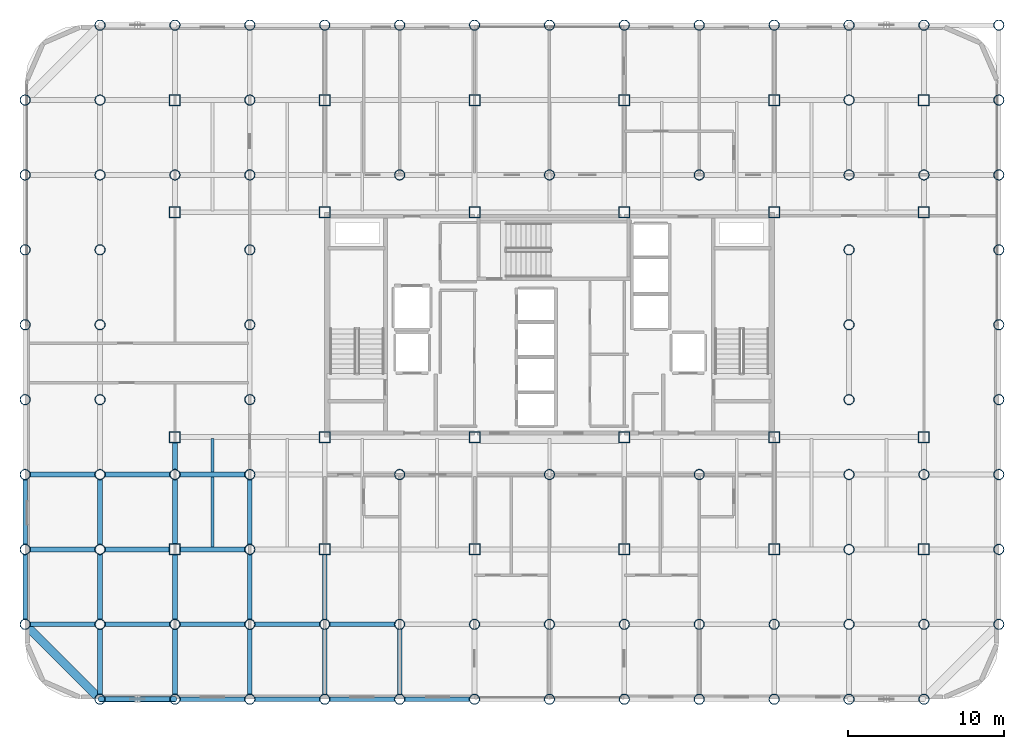
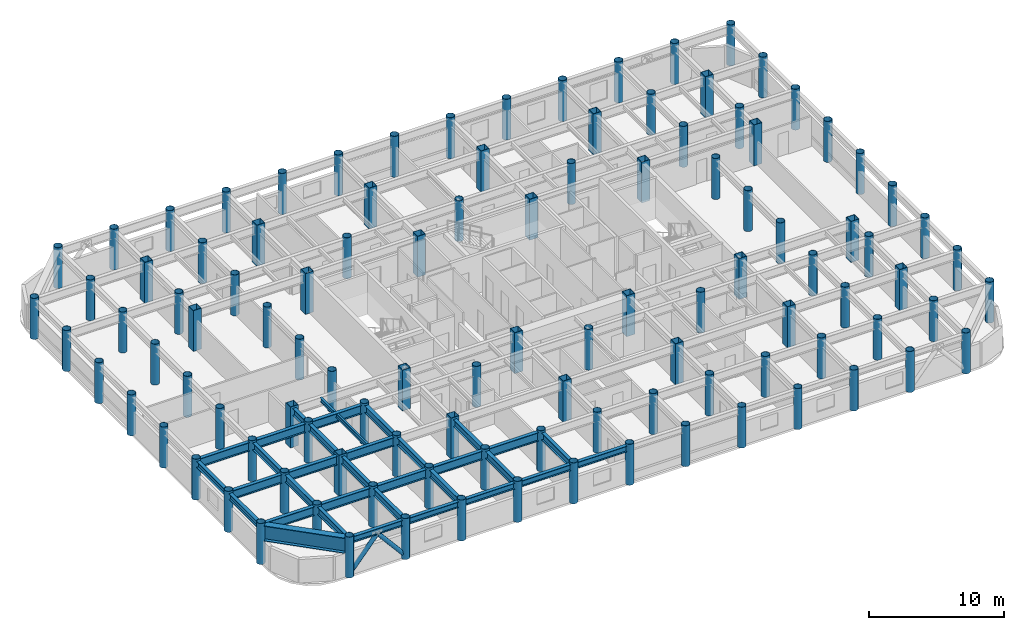
# One storey, part 1 of 20: 108 columns, 33 beams, 2 members.
"""IFC4 building model written with IfcOpenShell, lengths in metres."""

import ifcopenshell
import ifcopenshell.guid

model = None  # the IFC model being written
_history = None  # IfcOwnerHistory: only IFC2X3 demands one
_inside = {}  # id of a spatial element -> (the spatial element, [elements in it])
_under = {}  # id of a project, library or spatial element -> (it, [spatial elements below it])
_declared = {}  # id of a project -> (the project, [libraries it declares])
_typed = {}  # id of a type object -> (the type object, [elements of that type])
_made_of = {}  # id of a material, layer set ... -> (it, [elements and type objects made of it])


def new_model(schema):
    """Start an empty IFC model of exactly this schema.

    Asked for "IFC4X3", IfcOpenShell would pick the latest addendum, in which some entities
    have other attributes; the version numbers below select the first issue.
    IFC2X3 requires an IfcOwnerHistory on every rooted entity: one is made here for all.
    """
    global model, _history
    if schema == "IFC4X3":
        model = ifcopenshell.file(schema_version=(4, 3, 0, 0))
    else:
        model = ifcopenshell.file(schema=schema)
    _inside.clear()
    _under.clear()
    _declared.clear()
    _typed.clear()
    _made_of.clear()
    _history = None
    if model.schema == "IFC2X3":
        org = make("IfcOrganization", Name="unknown")
        user = make(
            "IfcPersonAndOrganization",
            ThePerson=make("IfcPerson", FamilyName="unknown"),
            TheOrganization=org,
        )
        app = make(
            "IfcApplication",
            ApplicationDeveloper=org,
            Version="unknown",
            ApplicationFullName="unknown",
            ApplicationIdentifier="unknown",
        )
        _history = make(
            "IfcOwnerHistory",
            OwningUser=user,
            OwningApplication=app,
            ChangeAction="ADDED",
            CreationDate=0,
        )
    return model


def make(cls, **values):
    """One entity of the class cls with the attributes given. An attribute that is None is left unset."""
    return model.create_entity(
        cls, **{name: value for name, value in values.items() if value is not None}
    )


def rooted(cls, **values):
    """An entity with a GlobalId (a new one), such as an element, a storey or a relation."""
    return make(cls, GlobalId=ifcopenshell.guid.new(), OwnerHistory=_history, **values)


def si_unit(unit_type, name, prefix=None):
    """IfcSIUnit, for example si_unit("LENGTHUNIT", "METRE", prefix="MILLI")."""
    return make("IfcSIUnit", UnitType=unit_type, Prefix=prefix, Name=name)


def assignment(units):
    """IfcUnitAssignment: the units of a project."""
    return None if units is None else make("IfcUnitAssignment", Units=units)


def point(xyz):
    """IfcCartesianPoint."""
    return None if xyz is None else make("IfcCartesianPoint", Coordinates=xyz)


def direction(xyz):
    """IfcDirection."""
    return None if xyz is None else make("IfcDirection", DirectionRatios=xyz)


def frame(location, z_axis=None, x_axis=None):
    """IfcAxis2Placement3D, a coordinate frame: its origin and axes. An axis left out is left unset."""
    return make(
        "IfcAxis2Placement3D",
        Location=point(location),
        Axis=direction(z_axis),
        RefDirection=direction(x_axis),
    )


def frame_2d(location, x_axis=None):
    """IfcAxis2Placement2D, a coordinate frame in the plane: its origin and x axis."""
    return make(
        "IfcAxis2Placement2D", Location=point(location), RefDirection=direction(x_axis)
    )


def origin():
    """The frame at (0, 0, 0) with its axes left unset."""
    return frame((0.0, 0.0, 0.0))


def origin_2d():
    """The frame at (0, 0) in the plane with its x axis left unset."""
    return frame_2d((0.0, 0.0))


def place(relative_to, where):
    """IfcLocalPlacement: puts the frame where relative to a parent placement (None: the world)."""
    return make(
        "IfcLocalPlacement", PlacementRelTo=relative_to, RelativePlacement=where
    )


def context(
    kind, dimensions, precision=None, world=None, true_north=None, identifier=None
):
    """IfcGeometricRepresentationContext, for example the 3D "Model" context."""
    return make(
        "IfcGeometricRepresentationContext",
        ContextIdentifier=identifier,
        ContextType=kind,
        CoordinateSpaceDimension=dimensions,
        Precision=precision,
        WorldCoordinateSystem=world,
        TrueNorth=true_north,
    )


def subcontext(parent, identifier, kind, view, scale=None):
    """IfcGeometricRepresentationSubContext, for example "Body" below "Model"."""
    return make(
        "IfcGeometricRepresentationSubContext",
        ContextIdentifier=identifier,
        ContextType=kind,
        ParentContext=parent,
        TargetScale=scale,
        TargetView=view,
    )


def project(units=None, contexts=None):
    """IfcProject with its units and contexts."""
    return rooted(
        "IfcProject",
        Name="project",
        RepresentationContexts=contexts,
        UnitsInContext=assignment(units),
    )


def spatial(cls, under=None, at=None, **own):
    """A site, building, storey or space (cls), placed at a placement, below another one or the project."""
    s = rooted(cls, ObjectPlacement=at, **own)
    if under is not None:
        _under.setdefault(under.id(), (under, []))[1].append(s)
    return s


def profile(cls, at=None, kind="AREA", **sizes):
    """A parametric profile (cls). Its sizes go by their IFC names, for example OverallWidth=200.0."""
    return make(cls, ProfileType=kind, Position=at, **sizes)


def hollow_rectangle(**sizes):
    """IfcRectangleHollowProfileDef."""
    return profile("IfcRectangleHollowProfileDef", **sizes)


def hollow_circle(**sizes):
    """IfcCircleHollowProfileDef."""
    return profile("IfcCircleHollowProfileDef", **sizes)


def i_section(**sizes):
    """IfcIShapeProfileDef."""
    return profile("IfcIShapeProfileDef", **sizes)


def extrude(swept, where, along, depth):
    """IfcExtrudedAreaSolid: the profile swept, set in the frame where, extruded along a direction by depth."""
    return make(
        "IfcExtrudedAreaSolid",
        SweptArea=swept,
        Position=where,
        ExtrudedDirection=direction(along),
        Depth=depth,
    )


def shape(context_of_items, identifier, shape_type, items):
    """IfcShapeRepresentation: the items that make up one representation, for example the "Body"."""
    return make(
        "IfcShapeRepresentation",
        ContextOfItems=context_of_items,
        RepresentationIdentifier=identifier,
        RepresentationType=shape_type,
        Items=items,
    )


def material(Name=None, Category=None):
    """IfcMaterial."""
    return make("IfcMaterial", Name=Name, Category=Category)


def material_profile(
    of_material, cross_section, Name=None, Category=None, Priority=None
):
    """IfcMaterialProfile: a cross section and its material."""
    return make(
        "IfcMaterialProfile",
        Name=Name,
        Material=of_material,
        Profile=cross_section,
        Priority=Priority,
        Category=Category,
    )


def profile_set(profiles, Name=None, composite=None):
    """IfcMaterialProfileSet."""
    return make(
        "IfcMaterialProfileSet",
        Name=Name,
        MaterialProfiles=profiles,
        CompositeProfile=composite,
    )


def made_of(thing, what):
    """Note that an element or type object is made of a material, layer set ...; save() writes the relation."""
    if what is not None:
        _made_of.setdefault(what.id(), (what, []))[1].append(thing)
    return thing


def type_object(cls, material=None, **own):
    """A type object (cls), such as IfcWallType, which elements share."""
    return made_of(rooted(cls, **own), material)


def element(
    cls,
    number,
    at=None,
    inside=None,
    cuts=None,
    type_object=None,
    material=None,
    context=None,
    identifier="Body",
    shape_type=None,
    held_by="IfcProductDefinitionShape",
    body=None,
    shapes=None,
    **own,
):
    """One element of the class cls, such as IfcWall. Its Tag is "e" and its number.

    at: its placement. inside: the storey or other place that contains it. cuts: it is an
    opening in that element (IfcRelVoidsElement). A single representation is given by context,
    identifier, shape_type and body (its items); several are given by shapes. held_by: the class
    of the entity that holds the representations. save() writes the other relations.
    """
    e = rooted(cls, Tag="e%d" % number, ObjectPlacement=at, **own)
    if body is not None:
        shapes = [shape(context, identifier, shape_type, body)]
    if shapes is not None:
        e.Representation = make(held_by, Representations=shapes)
    if inside is not None:
        _inside.setdefault(inside.id(), (inside, []))[1].append(e)
    if cuts is not None:
        rooted(
            "IfcRelVoidsElement", RelatingBuildingElement=cuts, RelatedOpeningElement=e
        )
    if type_object is not None:
        _typed.setdefault(type_object.id(), (type_object, []))[1].append(e)
    return made_of(e, material)


def aggregate(whole, parts):
    """IfcRelAggregates: a whole, such as a stair, and the parts it consists of."""
    return rooted("IfcRelAggregates", RelatingObject=whole, RelatedObjects=parts)


def save(model, path):
    """Write the relations noted so far, then the file.

    IfcRelAggregates (storeys below a building ...), IfcRelContainedInSpatialStructure (elements
    in a storey), IfcRelDefinesByType, IfcRelAssociatesMaterial and IfcRelDeclares: one each for
    every whole, place, type object, material and project.
    """
    for whole, parts in _under.values():
        aggregate(whole, parts)
    for where, things in _inside.values():
        rooted(
            "IfcRelContainedInSpatialStructure",
            RelatedElements=things,
            RelatingStructure=where,
        )
    for kind, things in _typed.values():
        rooted("IfcRelDefinesByType", RelatedObjects=things, RelatingType=kind)
    for what, things in _made_of.values():
        rooted("IfcRelAssociatesMaterial", RelatedObjects=things, RelatingMaterial=what)
    for by, libraries in _declared.values():
        rooted("IfcRelDeclares", RelatingContext=by, RelatedDefinitions=libraries)
    model.write(path)


model = new_model("IFC4")

# Units and contexts
model_context = context("Model", 3, precision=1e-05, world=origin(), true_north=direction((0.0, 1.0)))
body_context = subcontext(model_context, "Body", "Model", "MODEL_VIEW")
ifc_project = project(units=[si_unit("LENGTHUNIT", "METRE"), si_unit("AREAUNIT", "SQUARE_METRE"), si_unit("VOLUMEUNIT", "CUBIC_METRE"), si_unit("PLANEANGLEUNIT", "RADIAN"), si_unit("MASSUNIT", "GRAM", prefix="KILO")], contexts=[model_context])

# Site, building, storey
site_placement = place(None, origin())
site = spatial("IfcSite", under=ifc_project, at=site_placement, CompositionType="ELEMENT")
building_placement = place(site_placement, origin())
building = spatial("IfcBuilding", under=site, at=building_placement, Name="Kallvorn Hotel Tower", CompositionType="ELEMENT")
storey_placement = place(building_placement, frame((0.0, 0.0, 158.10009765625)))
storey = spatial("IfcBuildingStorey", under=building, at=storey_placement, Name="L39", CompositionType="ELEMENT", Elevation=158.10009765625)

# Columns
ifc_material_1 = material(Name="Structural steel S355J2H", Category="steel")
ifc_material_profile_1 = material_profile(ifc_material_1, hollow_circle(Radius=0.330078125, WallThickness=0.028076171875, at=origin_2d()), Name="CHS 660x28")
ifc_profile_set_1 = profile_set([ifc_material_profile_1], Name="Structural steel S355J2H")
column_type_1 = type_object("IfcColumnType", Name="COL_CHS_660", PredefinedType="COLUMN", material=ifc_profile_set_1)
for number, where, z_axis, x_axis, name in (
    (1, (-33.60009765625, -19.199951171875, 0.0), (0.0, 0.0, 1.0), (1.0, 0.0, 0.0), "L39 Exoskeleton Column EC01"),
    (2, (-33.60009765625, -14.39990234375, 0.0), (0.0, 0.0, 1.0), (1.0, 0.0, 0.0), "L39 Exoskeleton Column EC02"),
    (3, (-33.60009765625, -9.60009765625, 0.0), (0.0, 0.0, 1.0), (1.0, 0.0, 0.0), "L39 Exoskeleton Column EC03"),
    (4, (-33.60009765625, -4.800048828125, 0.0), (0.0, 0.0, 1.0), (1.0, 0.0, 0.0), "L39 Exoskeleton Column EC04"),
    (5, (-33.60009765625, 0.0, 0.0), (0.0, 0.0, 1.0), (1.0, 0.0, 0.0), "L39 Exoskeleton Column EC05"),
    (6, (-33.60009765625, 4.800048828125, 0.0), (0.0, 0.0, 1.0), (1.0, 0.0, 0.0), "L39 Exoskeleton Column EC06"),
    (7, (-33.60009765625, 9.60009765625, 0.0), (0.0, 0.0, 1.0), (1.0, 0.0, 0.0), "L39 Exoskeleton Column EC07"),
    (8, (-33.60009765625, 14.39990234375, 0.0), (0.0, 0.0, 1.0), (1.0, 0.0, 0.0), "L39 Exoskeleton Column EC08"),
    (9, (-28.800048828125, -24.0, 0.0), (0.0, 0.0, 1.0), (1.0, 0.0, 0.0), "L39 Exoskeleton Column EC09"),
    (10, (-28.800048828125, -19.199951171875, 0.0), (0.0, 0.0, 1.0), (1.0, 0.0, 0.0), "L39 Exoskeleton Column EC10"),
    (11, (-28.800048828125, -14.39990234375, 0.0), (0.0, 0.0, 1.0), (1.0, 0.0, 0.0), "L39 Exoskeleton Column EC11"),
    (12, (-28.800048828125, -9.60009765625, 0.0), (0.0, 0.0, 1.0), (1.0, 0.0, 0.0), "L39 Exoskeleton Column EC12"),
    (13, (-28.800048828125, -4.800048828125, 0.0), (0.0, 0.0, 1.0), (1.0, 0.0, 0.0), "L39 Exoskeleton Column EC13"),
    (14, (-28.800048828125, 0.0, 0.0), (0.0, 0.0, 1.0), (1.0, 0.0, 0.0), "L39 Exoskeleton Column EC14"),
    (15, (-28.800048828125, 4.800048828125, 0.0), (0.0, 0.0, 1.0), (1.0, 0.0, 0.0), "L39 Exoskeleton Column EC15"),
    (16, (-28.800048828125, 9.60009765625, 0.0), (0.0, 0.0, 1.0), (1.0, 0.0, 0.0), "L39 Exoskeleton Column EC16"),
    (17, (-28.800048828125, 14.39990234375, 0.0), (0.0, 0.0, 1.0), (1.0, 0.0, 0.0), "L39 Exoskeleton Column EC17"),
    (18, (-28.800048828125, 19.199951171875, 0.0), (0.0, 0.0, 1.0), (1.0, 0.0, 0.0), "L39 Exoskeleton Column EC18"),
    (19, (-24.0, -24.0, 0.0), (0.0, 0.0, 1.0), (1.0, 0.0, 0.0), "L39 Exoskeleton Column EC19"),
    (20, (-24.0, -19.199951171875, 0.0), (0.0, 0.0, 1.0), (1.0, 0.0, 0.0), "L39 Exoskeleton Column EC20"),
    (21, (-24.0, -9.60009765625, 0.0), (0.0, 0.0, 1.0), (1.0, 0.0, 0.0), "L39 Exoskeleton Column EC21"),
    (22, (-24.0, 9.60009765625, 0.0), (0.0, 0.0, 1.0), (1.0, 0.0, 0.0), "L39 Exoskeleton Column EC22"),
    (23, (-24.0, 19.199951171875, 0.0), (0.0, 0.0, 1.0), (1.0, 0.0, 0.0), "L39 Exoskeleton Column EC23"),
    (24, (-19.199951171875, -24.0, 0.0), (0.0, 0.0, 1.0), (1.0, 0.0, 0.0), "L39 Exoskeleton Column EC24"),
    (25, (-19.199951171875, -19.199951171875, 0.0), (0.0, 0.0, 1.0), (1.0, 0.0, 0.0), "L39 Exoskeleton Column EC25"),
    (26, (-19.199951171875, -14.39990234375, 0.0), (0.0, 0.0, 1.0), (1.0, 0.0, 0.0), "L39 Exoskeleton Column EC26"),
    (27, (-19.199951171875, -9.60009765625, 0.0), (0.0, 0.0, 1.0), (1.0, 0.0, 0.0), "L39 Exoskeleton Column EC27"),
    (28, (-19.199951171875, -4.800048828125, 0.0), (0.0, 0.0, 1.0), (1.0, 0.0, 0.0), "L39 Exoskeleton Column EC28"),
    (29, (-19.199951171875, 0.0, 0.0), (0.0, 0.0, 1.0), (1.0, 0.0, 0.0), "L39 Exoskeleton Column EC29"),
    (30, (-19.199951171875, 4.800048828125, 0.0), (0.0, 0.0, 1.0), (1.0, 0.0, 0.0), "L39 Exoskeleton Column EC30"),
    (31, (-19.199951171875, 9.60009765625, 0.0), (0.0, 0.0, 1.0), (1.0, 0.0, 0.0), "L39 Exoskeleton Column EC31"),
    (32, (-19.199951171875, 14.39990234375, 0.0), (0.0, 0.0, 1.0), (1.0, 0.0, 0.0), "L39 Exoskeleton Column EC32"),
    (33, (-19.199951171875, 19.199951171875, 0.0), (0.0, 0.0, 1.0), (1.0, 0.0, 0.0), "L39 Exoskeleton Column EC33"),
    (34, (-14.39990234375, -24.0, 0.0), (0.0, 0.0, 1.0), (1.0, 0.0, 0.0), "L39 Exoskeleton Column EC34"),
    (35, (-14.39990234375, -19.199951171875, 0.0), (0.0, 0.0, 1.0), (1.0, 0.0, 0.0), "L39 Exoskeleton Column EC35"),
    (36, (-14.39990234375, 19.199951171875, 0.0), (0.0, 0.0, 1.0), (1.0, 0.0, 0.0), "L39 Exoskeleton Column EC36"),
    (37, (-9.60009765625, -24.0, 0.0), (0.0, 0.0, 1.0), (1.0, 0.0, 0.0), "L39 Exoskeleton Column EC37"),
    (38, (-9.60009765625, -19.199951171875, 0.0), (0.0, 0.0, 1.0), (1.0, 0.0, 0.0), "L39 Exoskeleton Column EC38"),
    (39, (-9.60009765625, -9.60009765625, 0.0), (0.0, 0.0, 1.0), (1.0, 0.0, 0.0), "L39 Exoskeleton Column EC39"),
    (40, (-9.60009765625, 9.60009765625, 0.0), (0.0, 0.0, 1.0), (1.0, 0.0, 0.0), "L39 Exoskeleton Column EC40"),
    (41, (-9.60009765625, 19.199951171875, 0.0), (0.0, 0.0, 1.0), (1.0, 0.0, 0.0), "L39 Exoskeleton Column EC41"),
    (42, (-4.800048828125, -24.0, 0.0), (0.0, 0.0, 1.0), (1.0, 0.0, 0.0), "L39 Exoskeleton Column EC42"),
    (43, (-4.800048828125, -19.199951171875, 0.0), (0.0, 0.0, 1.0), (1.0, 0.0, 0.0), "L39 Exoskeleton Column EC43"),
    (44, (-4.800048828125, 19.199951171875, 0.0), (0.0, 0.0, 1.0), (1.0, 0.0, 0.0), "L39 Exoskeleton Column EC44"),
    (45, (0.0, -24.0, 0.0), (0.0, 0.0, 1.0), (1.0, 0.0, 0.0), "L39 Exoskeleton Column EC45"),
    (46, (0.0, -19.199951171875, 0.0), (0.0, 0.0, 1.0), (1.0, 0.0, 0.0), "L39 Exoskeleton Column EC46"),
    (47, (0.0, -9.60009765625, 0.0), (0.0, 0.0, 1.0), (1.0, 0.0, 0.0), "L39 Exoskeleton Column EC47"),
    (48, (0.0, 9.60009765625, 0.0), (0.0, 0.0, 1.0), (1.0, 0.0, 0.0), "L39 Exoskeleton Column EC48"),
    (49, (0.0, 19.199951171875, 0.0), (0.0, 0.0, 1.0), (1.0, 0.0, 0.0), "L39 Exoskeleton Column EC49"),
    (50, (4.800048828125, -24.0, 0.0), (0.0, 0.0, 1.0), (1.0, 0.0, 0.0), "L39 Exoskeleton Column EC50"),
    (51, (4.800048828125, -19.199951171875, 0.0), (0.0, 0.0, 1.0), (1.0, 0.0, 0.0), "L39 Exoskeleton Column EC51"),
    (52, (4.800048828125, 19.199951171875, 0.0), (0.0, 0.0, 1.0), (1.0, 0.0, 0.0), "L39 Exoskeleton Column EC52"),
    (53, (9.60009765625, -24.0, 0.0), (0.0, 0.0, 1.0), (1.0, 0.0, 0.0), "L39 Exoskeleton Column EC53"),
    (54, (9.60009765625, -19.199951171875, 0.0), (0.0, 0.0, 1.0), (1.0, 0.0, 0.0), "L39 Exoskeleton Column EC54"),
    (55, (9.60009765625, -9.60009765625, 0.0), (0.0, 0.0, 1.0), (1.0, 0.0, 0.0), "L39 Exoskeleton Column EC55"),
    (56, (9.60009765625, 9.60009765625, 0.0), (0.0, 0.0, 1.0), (1.0, 0.0, 0.0), "L39 Exoskeleton Column EC56"),
    (57, (9.60009765625, 19.199951171875, 0.0), (0.0, 0.0, 1.0), (1.0, 0.0, 0.0), "L39 Exoskeleton Column EC57"),
    (58, (14.39990234375, -24.0, 0.0), (0.0, 0.0, 1.0), (1.0, 0.0, 0.0), "L39 Exoskeleton Column EC58"),
    (59, (14.39990234375, -19.199951171875, 0.0), (0.0, 0.0, 1.0), (1.0, 0.0, 0.0), "L39 Exoskeleton Column EC59"),
    (60, (14.39990234375, 19.199951171875, 0.0), (0.0, 0.0, 1.0), (1.0, 0.0, 0.0), "L39 Exoskeleton Column EC60"),
    (61, (19.199951171875, -24.0, 0.0), (0.0, 0.0, 1.0), (1.0, 0.0, 0.0), "L39 Exoskeleton Column EC61"),
    (62, (19.199951171875, -19.199951171875, 0.0), (0.0, 0.0, 1.0), (1.0, 0.0, 0.0), "L39 Exoskeleton Column EC62"),
    (63, (19.199951171875, -14.39990234375, 0.0), (0.0, 0.0, 1.0), (1.0, 0.0, 0.0), "L39 Exoskeleton Column EC63"),
    (64, (19.199951171875, -9.60009765625, 0.0), (0.0, 0.0, 1.0), (1.0, 0.0, 0.0), "L39 Exoskeleton Column EC64"),
    (65, (19.199951171875, -4.800048828125, 0.0), (0.0, 0.0, 1.0), (1.0, 0.0, 0.0), "L39 Exoskeleton Column EC65"),
    (66, (19.199951171875, 0.0, 0.0), (0.0, 0.0, 1.0), (1.0, 0.0, 0.0), "L39 Exoskeleton Column EC66"),
    (67, (19.199951171875, 4.800048828125, 0.0), (0.0, 0.0, 1.0), (1.0, 0.0, 0.0), "L39 Exoskeleton Column EC67"),
    (68, (19.199951171875, 9.60009765625, 0.0), (0.0, 0.0, 1.0), (1.0, 0.0, 0.0), "L39 Exoskeleton Column EC68"),
    (69, (19.199951171875, 14.39990234375, 0.0), (0.0, 0.0, 1.0), (1.0, 0.0, 0.0), "L39 Exoskeleton Column EC69"),
    (70, (19.199951171875, 19.199951171875, 0.0), (0.0, 0.0, 1.0), (1.0, 0.0, 0.0), "L39 Exoskeleton Column EC70"),
    (71, (24.0, -24.0, 0.0), (0.0, 0.0, 1.0), (1.0, 0.0, 0.0), "L39 Exoskeleton Column EC71"),
    (72, (24.0, -19.199951171875, 0.0), (0.0, 0.0, 1.0), (1.0, 0.0, 0.0), "L39 Exoskeleton Column EC72"),
    (73, (24.0, -9.60009765625, 0.0), (0.0, 0.0, 1.0), (1.0, 0.0, 0.0), "L39 Exoskeleton Column EC73"),
    (74, (24.0, 9.60009765625, 0.0), (0.0, 0.0, 1.0), (1.0, 0.0, 0.0), "L39 Exoskeleton Column EC74"),
    (75, (24.0, 19.199951171875, 0.0), (0.0, 0.0, 1.0), (1.0, 0.0, 0.0), "L39 Exoskeleton Column EC75"),
    (76, (28.800048828125, -19.199951171875, 0.0), (0.0, 0.0, 1.0), (1.0, 0.0, 0.0), "L39 Exoskeleton Column EC76"),
    (77, (28.800048828125, -14.39990234375, 0.0), (0.0, 0.0, 1.0), (1.0, 0.0, 0.0), "L39 Exoskeleton Column EC77"),
    (78, (28.800048828125, -9.60009765625, 0.0), (0.0, 0.0, 1.0), (1.0, 0.0, 0.0), "L39 Exoskeleton Column EC78"),
    (79, (28.800048828125, -4.800048828125, 0.0), (0.0, 0.0, 1.0), (1.0, 0.0, 0.0), "L39 Exoskeleton Column EC79"),
    (80, (28.800048828125, 0.0, 0.0), (0.0, 0.0, 1.0), (1.0, 0.0, 0.0), "L39 Exoskeleton Column EC80"),
    (81, (28.800048828125, 4.800048828125, 0.0), (0.0, 0.0, 1.0), (1.0, 0.0, 0.0), "L39 Exoskeleton Column EC81"),
    (82, (28.800048828125, 9.60009765625, 0.0), (0.0, 0.0, 1.0), (1.0, 0.0, 0.0), "L39 Exoskeleton Column EC82"),
    (83, (28.800048828125, 14.39990234375, 0.0), (0.0, 0.0, 1.0), (1.0, 0.0, 0.0), "L39 Exoskeleton Column EC83"),
    (84, (28.800048828125, 19.199951171875, 0.0), (0.0, 0.0, 1.0), (1.0, 0.0, 0.0), "L39 Exoskeleton Column EC84"),
):
    element("IfcColumn", number, at=place(storey_placement, frame(where, z_axis=z_axis, x_axis=x_axis)), inside=storey, type_object=column_type_1, Name=name, PredefinedType="COLUMN", context=body_context, shape_type="SweptSolid", body=[
        extrude(hollow_circle(Radius=0.330078125, WallThickness=0.028076171875, at=origin_2d()), origin(), (0.0, 0.0, 1.0), 3.699951171875),
    ])
ifc_material_2 = material(Name="Structural steel S355J2H", Category="steel")
ifc_material_profile_2 = material_profile(ifc_material_2, hollow_rectangle(XDim=0.699951171875, YDim=0.699951171875, WallThickness=0.031982421875, at=origin_2d()), Name="RHS 700x700x32")
ifc_profile_set_2 = profile_set([ifc_material_profile_2], Name="Structural steel S355J2H")
column_type_2 = type_object("IfcColumnType", Name="COL_RHS_700", PredefinedType="COLUMN", material=ifc_profile_set_2)
for number, where, z_axis, x_axis, name in (
    (85, (-24.0, -14.39990234375, 0.0), (0.0, 0.0, 1.0), (1.0, 0.0, 0.0), "L39 Inner Column IC01"),
    (86, (-24.0, -7.199951171875, 0.0), (0.0, 0.0, 1.0), (1.0, 0.0, 0.0), "L39 Inner Column IC02"),
    (87, (-24.0, 7.199951171875, 0.0), (0.0, 0.0, 1.0), (1.0, 0.0, 0.0), "L39 Inner Column IC03"),
    (88, (-24.0, 14.39990234375, 0.0), (0.0, 0.0, 1.0), (1.0, 0.0, 0.0), "L39 Inner Column IC04"),
    (89, (-14.39990234375, -14.39990234375, 0.0), (0.0, 0.0, 1.0), (1.0, 0.0, 0.0), "L39 Inner Column IC05"),
    (90, (-14.39990234375, -7.199951171875, 0.0), (0.0, 0.0, 1.0), (1.0, 0.0, 0.0), "L39 Inner Column IC06"),
    (91, (-14.39990234375, 7.199951171875, 0.0), (0.0, 0.0, 1.0), (1.0, 0.0, 0.0), "L39 Inner Column IC07"),
    (92, (-14.39990234375, 14.39990234375, 0.0), (0.0, 0.0, 1.0), (1.0, 0.0, 0.0), "L39 Inner Column IC08"),
    (93, (-4.800048828125, -14.39990234375, 0.0), (0.0, 0.0, 1.0), (1.0, 0.0, 0.0), "L39 Inner Column IC09"),
    (94, (-4.800048828125, -7.199951171875, 0.0), (0.0, 0.0, 1.0), (1.0, 0.0, 0.0), "L39 Inner Column IC10"),
    (95, (-4.800048828125, 7.199951171875, 0.0), (0.0, 0.0, 1.0), (1.0, 0.0, 0.0), "L39 Inner Column IC11"),
    (96, (-4.800048828125, 14.39990234375, 0.0), (0.0, 0.0, 1.0), (1.0, 0.0, 0.0), "L39 Inner Column IC12"),
    (97, (4.800048828125, -14.39990234375, 0.0), (0.0, 0.0, 1.0), (1.0, 0.0, 0.0), "L39 Inner Column IC13"),
    (98, (4.800048828125, -7.199951171875, 0.0), (0.0, 0.0, 1.0), (1.0, 0.0, 0.0), "L39 Inner Column IC14"),
    (99, (4.800048828125, 7.199951171875, 0.0), (0.0, 0.0, 1.0), (1.0, 0.0, 0.0), "L39 Inner Column IC15"),
    (100, (4.800048828125, 14.39990234375, 0.0), (0.0, 0.0, 1.0), (1.0, 0.0, 0.0), "L39 Inner Column IC16"),
    (101, (14.39990234375, -14.39990234375, 0.0), (0.0, 0.0, 1.0), (1.0, 0.0, 0.0), "L39 Inner Column IC17"),
    (102, (14.39990234375, -7.199951171875, 0.0), (0.0, 0.0, 1.0), (1.0, 0.0, 0.0), "L39 Inner Column IC18"),
    (103, (14.39990234375, 7.199951171875, 0.0), (0.0, 0.0, 1.0), (1.0, 0.0, 0.0), "L39 Inner Column IC19"),
    (104, (14.39990234375, 14.39990234375, 0.0), (0.0, 0.0, 1.0), (1.0, 0.0, 0.0), "L39 Inner Column IC20"),
    (105, (24.0, -14.39990234375, 0.0), (0.0, 0.0, 1.0), (1.0, 0.0, 0.0), "L39 Inner Column IC21"),
    (106, (24.0, -7.199951171875, 0.0), (0.0, 0.0, 1.0), (1.0, 0.0, 0.0), "L39 Inner Column IC22"),
    (107, (24.0, 7.199951171875, 0.0), (0.0, 0.0, 1.0), (1.0, 0.0, 0.0), "L39 Inner Column IC23"),
    (108, (24.0, 14.39990234375, 0.0), (0.0, 0.0, 1.0), (1.0, 0.0, 0.0), "L39 Inner Column IC24"),
):
    element("IfcColumn", number, at=place(storey_placement, frame(where, z_axis=z_axis, x_axis=x_axis)), inside=storey, type_object=column_type_2, Name=name, PredefinedType="COLUMN", context=body_context, shape_type="SweptSolid", body=[
        extrude(hollow_rectangle(XDim=0.699951171875, YDim=0.699951171875, WallThickness=0.031982421875, at=origin_2d()), origin(), (0.0, 0.0, 1.0), 3.699951171875),
    ])

# Beams
ifc_material_3 = material(Name="Structural steel S355JR", Category="steel")
ifc_material_profile_3 = material_profile(ifc_material_3, i_section(OverallWidth=0.300048828125, OverallDepth=0.550048828125, WebThickness=0.014892578125, FlangeThickness=0.029052734375, at=origin_2d()), Name="HE 550 B")
ifc_profile_set_3 = profile_set([ifc_material_profile_3], Name="Structural steel S355JR")
beam_type_1 = type_object("IfcBeamType", Name="BM_HE550B", PredefinedType="SPANDREL", material=ifc_profile_set_3)
for number, where, z_axis, x_axis, name in (
    (109, (-28.47998046875, -24.0, 3.244873046875), (1.0, 0.0, 0.0), (0.0, 1.0, 0.0), "L40 Perimeter Spandrel 151"),
    (110, (-23.679931640625, -24.0, 3.244873046875), (1.0, 0.0, 0.0), (0.0, 1.0, 0.0), "L40 Perimeter Spandrel 152"),
    (111, (-18.8798828125, -24.0, 3.244873046875), (1.0, 0.0, 0.0), (0.0, 1.0, 0.0), "L40 Perimeter Spandrel 153"),
):
    element("IfcBeam", number, at=place(storey_placement, frame(where, z_axis=z_axis, x_axis=x_axis)), inside=storey, type_object=beam_type_1, Name=name, PredefinedType="SPANDREL", context=body_context, shape_type="SweptSolid", body=[
        extrude(i_section(OverallWidth=0.300048828125, OverallDepth=0.550048828125, WebThickness=0.014892578125, FlangeThickness=0.029052734375, at=origin_2d()), origin(), (0.0, 0.0, 1.0), 4.159912109375),
    ])
beam_1_placement = place(storey_placement, frame((-14.080078125, -24.0, 3.244873046875), z_axis=(1.0, 0.0, 0.0), x_axis=(0.0, 1.0, 0.0)))
element("IfcBeam", 112, at=beam_1_placement, inside=storey, type_object=beam_type_1, Name="L40 Perimeter Spandrel 154", PredefinedType="SPANDREL", context=body_context, shape_type="SweptSolid", body=[
    extrude(i_section(OverallWidth=0.300048828125, OverallDepth=0.550048828125, WebThickness=0.014892578125, FlangeThickness=0.029052734375, at=origin_2d()), origin(), (0.0, 0.0, 1.0), 4.16015625),
])
for number, where, z_axis, x_axis, name in (
    (113, (-9.280029296875, -24.0, 3.244873046875), (1.0, 0.0, 0.0), (0.0, 1.0, 0.0), "L40 Perimeter Spandrel 155"),
    (114, (-33.60009765625, -18.8798828125, 3.244873046875), (0.0, 1.0, 0.0), (-1.0, 0.0, 0.0), "L40 Perimeter Spandrel 174"),
):
    element("IfcBeam", number, at=place(storey_placement, frame(where, z_axis=z_axis, x_axis=x_axis)), inside=storey, type_object=beam_type_1, Name=name, PredefinedType="SPANDREL", context=body_context, shape_type="SweptSolid", body=[
        extrude(i_section(OverallWidth=0.300048828125, OverallDepth=0.550048828125, WebThickness=0.014892578125, FlangeThickness=0.029052734375, at=origin_2d()), origin(), (0.0, 0.0, 1.0), 4.159912109375),
    ])
beam_2_placement = place(storey_placement, frame((-33.60009765625, -14.080078125, 3.244873046875), z_axis=(0.0, 1.0, 0.0), x_axis=(-1.0, 0.0, 0.0)))
element("IfcBeam", 115, at=beam_2_placement, inside=storey, type_object=beam_type_1, Name="L40 Perimeter Spandrel 175", PredefinedType="SPANDREL", context=body_context, shape_type="SweptSolid", body=[
    extrude(i_section(OverallWidth=0.300048828125, OverallDepth=0.550048828125, WebThickness=0.014892578125, FlangeThickness=0.029052734375, at=origin_2d()), origin(), (0.0, 0.0, 1.0), 4.16015625),
])
ifc_material_4 = material(Name="Structural steel S355JR", Category="steel")
ifc_material_profile_4 = material_profile(ifc_material_4, i_section(OverallWidth=0.300048828125, OverallDepth=0.64990234375, WebThickness=0.01611328125, FlangeThickness=0.031005859375, at=origin_2d()), Name="HE 650 B")
ifc_profile_set_4 = profile_set([ifc_material_profile_4], Name="Structural steel S355JR")
beam_type_2 = type_object("IfcBeamType", Name="BM_HE650B", PredefinedType="BEAM", material=ifc_profile_set_4)
beam_3_placement = place(storey_placement, frame((-28.800048828125, -23.695068359375, 3.19482421875), z_axis=(0.0, 1.0, 0.0), x_axis=(-1.0, 0.0, 0.0)))
element("IfcBeam", 116, at=beam_3_placement, inside=storey, type_object=beam_type_2, Name="L40 Primary Y-Girder 73", PredefinedType="BEAM", context=body_context, shape_type="SweptSolid", body=[
    extrude(i_section(OverallWidth=0.300048828125, OverallDepth=0.64990234375, WebThickness=0.01611328125, FlangeThickness=0.031005859375, at=origin_2d()), origin(), (0.0, 0.0, 1.0), 4.190185546875),
])
for number, where, z_axis, x_axis, name in (
    (117, (-28.800048828125, -18.89501953125, 3.19482421875), (0.0, 1.0, 0.0), (-1.0, 0.0, 0.0), "L40 Primary Y-Girder 74"),
    (118, (-28.800048828125, -14.094970703125, 3.19482421875), (0.0, 1.0, 0.0), (-1.0, 0.0, 0.0), "L40 Primary Y-Girder 75"),
):
    element("IfcBeam", number, at=place(storey_placement, frame(where, z_axis=z_axis, x_axis=x_axis)), inside=storey, type_object=beam_type_2, Name=name, PredefinedType="BEAM", context=body_context, shape_type="SweptSolid", body=[
        extrude(i_section(OverallWidth=0.300048828125, OverallDepth=0.64990234375, WebThickness=0.01611328125, FlangeThickness=0.031005859375, at=origin_2d()), origin(), (0.0, 0.0, 1.0), 4.18994140625),
    ])
beam_4_placement = place(storey_placement, frame((-24.0, -23.695068359375, 3.19482421875), z_axis=(0.0, 1.0, 0.0), x_axis=(-1.0, 0.0, 0.0)))
element("IfcBeam", 119, at=beam_4_placement, inside=storey, type_object=beam_type_2, Name="L40 Primary Y-Girder 82", PredefinedType="BEAM", context=body_context, shape_type="SweptSolid", body=[
    extrude(i_section(OverallWidth=0.300048828125, OverallDepth=0.64990234375, WebThickness=0.01611328125, FlangeThickness=0.031005859375, at=origin_2d()), origin(), (0.0, 0.0, 1.0), 4.190185546875),
])
for number, where, z_axis, x_axis, name in (
    (120, (-24.0, -18.89501953125, 3.19482421875), (0.0, 1.0, 0.0), (-1.0, 0.0, 0.0), "L40 Primary Y-Girder 83"),
    (121, (-24.0, -14.074951171875, 3.19482421875), (0.0, 1.0, 0.0), (-1.0, 0.0, 0.0), "L40 Primary Y-Girder 84"),
):
    element("IfcBeam", number, at=place(storey_placement, frame(where, z_axis=z_axis, x_axis=x_axis)), inside=storey, type_object=beam_type_2, Name=name, PredefinedType="BEAM", context=body_context, shape_type="SweptSolid", body=[
        extrude(i_section(OverallWidth=0.300048828125, OverallDepth=0.64990234375, WebThickness=0.01611328125, FlangeThickness=0.031005859375, at=origin_2d()), origin(), (0.0, 0.0, 1.0), 4.169921875),
    ])
beam_5_placement = place(storey_placement, frame((-24.0, -9.294921875, 3.19482421875), z_axis=(0.0, 1.0, 0.0), x_axis=(-1.0, 0.0, 0.0)))
element("IfcBeam", 122, at=beam_5_placement, inside=storey, type_object=beam_type_2, Name="L40 Primary Y-Girder 85", PredefinedType="BEAM", context=body_context, shape_type="SweptSolid", body=[
    extrude(i_section(OverallWidth=0.300048828125, OverallDepth=0.64990234375, WebThickness=0.01611328125, FlangeThickness=0.031005859375, at=origin_2d()), origin(), (0.0, 0.0, 1.0), 1.77001953125),
])
beam_6_placement = place(storey_placement, frame((-19.199951171875, -23.695068359375, 3.19482421875), z_axis=(0.0, 1.0, 0.0), x_axis=(-1.0, 0.0, 0.0)))
element("IfcBeam", 123, at=beam_6_placement, inside=storey, type_object=beam_type_2, Name="L40 Primary Y-Girder 89", PredefinedType="BEAM", context=body_context, shape_type="SweptSolid", body=[
    extrude(i_section(OverallWidth=0.300048828125, OverallDepth=0.64990234375, WebThickness=0.01611328125, FlangeThickness=0.031005859375, at=origin_2d()), origin(), (0.0, 0.0, 1.0), 4.190185546875),
])
for number, where, z_axis, x_axis, name in (
    (124, (-19.199951171875, -18.89501953125, 3.19482421875), (0.0, 1.0, 0.0), (-1.0, 0.0, 0.0), "L40 Primary Y-Girder 90"),
    (125, (-19.199951171875, -14.094970703125, 3.19482421875), (0.0, 1.0, 0.0), (-1.0, 0.0, 0.0), "L40 Primary Y-Girder 91"),
):
    element("IfcBeam", number, at=place(storey_placement, frame(where, z_axis=z_axis, x_axis=x_axis)), inside=storey, type_object=beam_type_2, Name=name, PredefinedType="BEAM", context=body_context, shape_type="SweptSolid", body=[
        extrude(i_section(OverallWidth=0.300048828125, OverallDepth=0.64990234375, WebThickness=0.01611328125, FlangeThickness=0.031005859375, at=origin_2d()), origin(), (0.0, 0.0, 1.0), 4.18994140625),
    ])
beam_7_placement = place(storey_placement, frame((-14.39990234375, -23.695068359375, 3.19482421875), z_axis=(0.0, 1.0, 0.0), x_axis=(-1.0, 0.0, 0.0)))
element("IfcBeam", 126, at=beam_7_placement, inside=storey, type_object=beam_type_2, Name="L40 Primary Y-Girder 98", PredefinedType="BEAM", context=body_context, shape_type="SweptSolid", body=[
    extrude(i_section(OverallWidth=0.300048828125, OverallDepth=0.64990234375, WebThickness=0.01611328125, FlangeThickness=0.031005859375, at=origin_2d()), origin(), (0.0, 0.0, 1.0), 4.190185546875),
])
beam_8_placement = place(storey_placement, frame((-14.39990234375, -18.89501953125, 3.19482421875), z_axis=(0.0, 1.0, 0.0), x_axis=(-1.0, 0.0, 0.0)))
element("IfcBeam", 127, at=beam_8_placement, inside=storey, type_object=beam_type_2, Name="L40 Primary Y-Girder 99", PredefinedType="BEAM", context=body_context, shape_type="SweptSolid", body=[
    extrude(i_section(OverallWidth=0.300048828125, OverallDepth=0.64990234375, WebThickness=0.01611328125, FlangeThickness=0.031005859375, at=origin_2d()), origin(), (0.0, 0.0, 1.0), 4.169921875),
])
beam_9_placement = place(storey_placement, frame((-9.60009765625, -23.695068359375, 3.19482421875), z_axis=(0.0, 1.0, 0.0), x_axis=(-1.0, 0.0, 0.0)))
element("IfcBeam", 128, at=beam_9_placement, inside=storey, type_object=beam_type_2, Name="L40 Primary Y-Girder 103", PredefinedType="BEAM", context=body_context, shape_type="SweptSolid", body=[
    extrude(i_section(OverallWidth=0.300048828125, OverallDepth=0.64990234375, WebThickness=0.01611328125, FlangeThickness=0.031005859375, at=origin_2d()), origin(), (0.0, 0.0, 1.0), 4.190185546875),
])
ifc_material_5 = material(Name="Structural steel S355JR", Category="steel")
ifc_material_profile_5 = material_profile(ifc_material_5, i_section(OverallWidth=0.300048828125, OverallDepth=0.800048828125, WebThickness=0.017578125, FlangeThickness=0.032958984375, at=origin_2d()), Name="HE 800 B")
ifc_profile_set_5 = profile_set([ifc_material_profile_5], Name="Structural steel S355JR")
beam_type_3 = type_object("IfcBeamType", Name="BM_HE800B", PredefinedType="BEAM", material=ifc_profile_set_5)
beam_10_placement = place(storey_placement, frame((-33.294921875, -19.199951171875, 3.119873046875), z_axis=(1.0, 0.0, 0.0), x_axis=(0.0, 1.0, 0.0)))
element("IfcBeam", 129, at=beam_10_placement, inside=storey, type_object=beam_type_3, Name="L40 Primary X-Girder 01", PredefinedType="BEAM", context=body_context, shape_type="SweptSolid", body=[
    extrude(i_section(OverallWidth=0.300048828125, OverallDepth=0.800048828125, WebThickness=0.017578125, FlangeThickness=0.032958984375, at=origin_2d()), origin(), (0.0, 0.0, 1.0), 4.18994140625),
])
for number, where, z_axis, x_axis, name in (
    (130, (-28.4951171875, -19.199951171875, 3.119873046875), (1.0, 0.0, 0.0), (0.0, 1.0, 0.0), "L40 Primary X-Girder 02"),
    (131, (-23.695068359375, -19.199951171875, 3.119873046875), (1.0, 0.0, 0.0), (0.0, 1.0, 0.0), "L40 Primary X-Girder 03"),
):
    element("IfcBeam", number, at=place(storey_placement, frame(where, z_axis=z_axis, x_axis=x_axis)), inside=storey, type_object=beam_type_3, Name=name, PredefinedType="BEAM", context=body_context, shape_type="SweptSolid", body=[
        extrude(i_section(OverallWidth=0.300048828125, OverallDepth=0.800048828125, WebThickness=0.017578125, FlangeThickness=0.032958984375, at=origin_2d()), origin(), (0.0, 0.0, 1.0), 4.190185546875),
    ])
for number, where, z_axis, x_axis, name in (
    (132, (-18.89501953125, -19.199951171875, 3.119873046875), (1.0, 0.0, 0.0), (0.0, 1.0, 0.0), "L40 Primary X-Girder 04"),
    (133, (-14.094970703125, -19.199951171875, 3.119873046875), (1.0, 0.0, 0.0), (0.0, 1.0, 0.0), "L40 Primary X-Girder 05"),
    (134, (-33.294921875, -14.39990234375, 3.119873046875), (1.0, 0.0, 0.0), (0.0, 1.0, 0.0), "L40 Primary X-Girder 14"),
):
    element("IfcBeam", number, at=place(storey_placement, frame(where, z_axis=z_axis, x_axis=x_axis)), inside=storey, type_object=beam_type_3, Name=name, PredefinedType="BEAM", context=body_context, shape_type="SweptSolid", body=[
        extrude(i_section(OverallWidth=0.300048828125, OverallDepth=0.800048828125, WebThickness=0.017578125, FlangeThickness=0.032958984375, at=origin_2d()), origin(), (0.0, 0.0, 1.0), 4.18994140625),
    ])
for number, where, z_axis, x_axis, name in (
    (135, (-28.4951171875, -14.39990234375, 3.119873046875), (1.0, 0.0, 0.0), (0.0, 1.0, 0.0), "L40 Primary X-Girder 15"),
    (136, (-23.675048828125, -14.39990234375, 3.119873046875), (1.0, 0.0, 0.0), (0.0, 1.0, 0.0), "L40 Primary X-Girder 16"),
):
    element("IfcBeam", number, at=place(storey_placement, frame(where, z_axis=z_axis, x_axis=x_axis)), inside=storey, type_object=beam_type_3, Name=name, PredefinedType="BEAM", context=body_context, shape_type="SweptSolid", body=[
        extrude(i_section(OverallWidth=0.300048828125, OverallDepth=0.800048828125, WebThickness=0.017578125, FlangeThickness=0.032958984375, at=origin_2d()), origin(), (0.0, 0.0, 1.0), 4.170166015625),
    ])
beam_11_placement = place(storey_placement, frame((-33.294921875, -9.60009765625, 3.119873046875), z_axis=(1.0, 0.0, 0.0), x_axis=(0.0, 1.0, 0.0)))
element("IfcBeam", 137, at=beam_11_placement, inside=storey, type_object=beam_type_3, Name="L40 Primary X-Girder 24", PredefinedType="BEAM", context=body_context, shape_type="SweptSolid", body=[
    extrude(i_section(OverallWidth=0.300048828125, OverallDepth=0.800048828125, WebThickness=0.017578125, FlangeThickness=0.032958984375, at=origin_2d()), origin(), (0.0, 0.0, 1.0), 4.18994140625),
])
for number, where, z_axis, x_axis, name in (
    (138, (-28.4951171875, -9.60009765625, 3.119873046875), (1.0, 0.0, 0.0), (0.0, 1.0, 0.0), "L40 Primary X-Girder 25"),
    (139, (-23.695068359375, -9.60009765625, 3.119873046875), (1.0, 0.0, 0.0), (0.0, 1.0, 0.0), "L40 Primary X-Girder 26"),
):
    element("IfcBeam", number, at=place(storey_placement, frame(where, z_axis=z_axis, x_axis=x_axis)), inside=storey, type_object=beam_type_3, Name=name, PredefinedType="BEAM", context=body_context, shape_type="SweptSolid", body=[
        extrude(i_section(OverallWidth=0.300048828125, OverallDepth=0.800048828125, WebThickness=0.017578125, FlangeThickness=0.032958984375, at=origin_2d()), origin(), (0.0, 0.0, 1.0), 4.190185546875),
    ])
ifc_material_6 = material(Name="Structural steel S355JR", Category="steel")
ifc_material_profile_6 = material_profile(ifc_material_6, i_section(OverallWidth=0.179931640625, OverallDepth=0.39990234375, WebThickness=0.008544921875, FlangeThickness=0.013427734375, at=origin_2d()), Name="IPE 400")
ifc_profile_set_6 = profile_set([ifc_material_profile_6], Name="Structural steel S355JR")
beam_type_4 = type_object("IfcBeamType", Name="BM_IPE400", PredefinedType="JOIST", material=ifc_profile_set_6)
beam_12_placement = place(storey_placement, frame((-21.60009765625, -14.300048828125, 3.31982421875), z_axis=(0.0, 1.0, 0.0), x_axis=(-1.0, 0.0, 0.0)))
element("IfcBeam", 140, at=beam_12_placement, inside=storey, type_object=beam_type_4, Name="L40 Secondary Composite Joist 192", PredefinedType="JOIST", context=body_context, shape_type="SweptSolid", body=[
    extrude(i_section(OverallWidth=0.179931640625, OverallDepth=0.39990234375, WebThickness=0.008544921875, FlangeThickness=0.013427734375, at=origin_2d()), origin(), (0.0, 0.0, 1.0), 7.0),
])
ifc_material_7 = material(Name="Structural steel S355JR", Category="steel")
ifc_material_profile_7 = material_profile(ifc_material_7, i_section(OverallWidth=0.550048828125, OverallDepth=1.39990234375, WebThickness=0.02490234375, FlangeThickness=0.044921875, at=origin_2d()), Name="PG 1400x550x25x45")
ifc_profile_set_7 = profile_set([ifc_material_profile_7], Name="Structural steel S355JR")
beam_type_5 = type_object("IfcBeamType", Name="BM_PG_1400", PredefinedType="BEAM", material=ifc_profile_set_7)
beam_13_placement = place(storey_placement, frame((-33.373779296875, -19.42626953125, 2.81982421875), z_axis=(0.707106781187, -0.707106781187, 0.0), x_axis=(0.707106781187, 0.707106781187, 0.0)))
element("IfcBeam", 141, at=beam_13_placement, inside=storey, type_object=beam_type_5, Name="L40 Rounded Corner Tie Beam 189", PredefinedType="BEAM", context=body_context, shape_type="SweptSolid", body=[
    extrude(i_section(OverallWidth=0.550048828125, OverallDepth=1.39990234375, WebThickness=0.02490234375, FlangeThickness=0.044921875, at=origin_2d()), origin(), (0.0, 0.0, 1.0), 6.148193359375),
])

# Members
ifc_material_8 = material(Name="Structural steel S355J2H", Category="steel")
ifc_material_profile_8 = material_profile(ifc_material_8, hollow_circle(Radius=0.177734375, WallThickness=0.01416015625, at=origin_2d()), Name="CHS 355.6x14.2")
ifc_profile_set_8 = profile_set([ifc_material_profile_8], Name="Structural steel S355J2H")
member_type = type_object("IfcMemberType", Name="MBR_EXO_CHS355", PredefinedType="BRACE", material=ifc_profile_set_8)
for number, where, z_axis, x_axis, name in (
    (142, (-28.787109375, -24.0, 0.1953125), (0.646833296797, 0.0, 0.762631422218), (0.0, 1.0, 0.0), "L39 Exoskeleton K-Brace S1A"),
    (143, (-24.012939453125, -24.0, 0.1953125), (-0.646833296797, 0.0, 0.762631422218), (0.0, -1.0, 0.0), "L39 Exoskeleton K-Brace S1B"),
):
    element("IfcMember", number, at=place(storey_placement, frame(where, z_axis=z_axis, x_axis=x_axis)), inside=storey, type_object=member_type, Name=name, PredefinedType="BRACE", context=body_context, shape_type="SweptSolid", body=[
        extrude(hollow_circle(Radius=0.177734375, WallThickness=0.01416015625, at=origin_2d()), origin(), (0.0, 0.0, 1.0), 3.670654296875),
    ])

save(model, "model.ifc")
